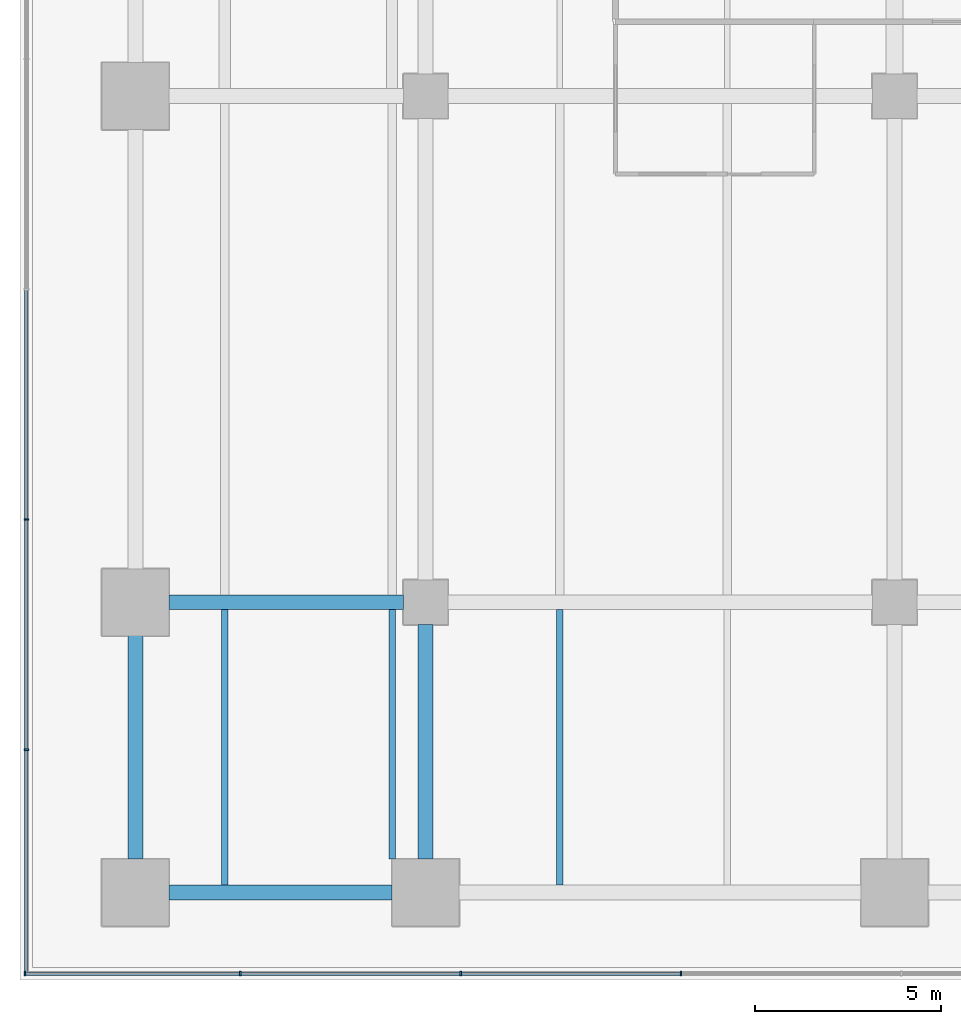
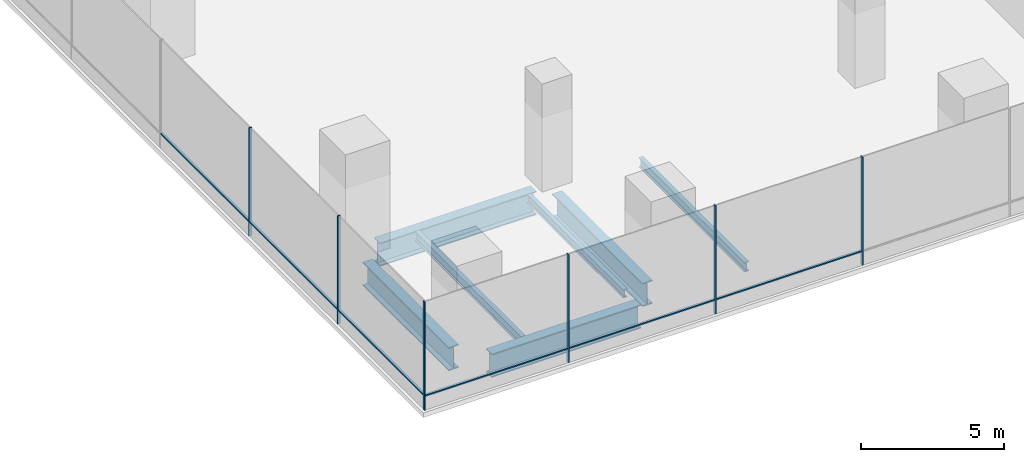
# One storey, part 2 of 28: 12 members, 7 beams, 2 elements without a shape of their own.
"""IFC4 building model written with IfcOpenShell, lengths in metres."""

from ifc_helpers import new_model, si_unit, direction, frame, origin, origin_2d, place, context, subcontext, project, spatial, rectangle, i_section, extrude, material, layer, layer_set, material_profile, profile_set, type_object, element, aggregate, save


model = new_model("IFC4")

# Units and contexts
model_context = context("Model", 3, precision=1e-05, world=origin(), true_north=direction((0.0, 1.0)))
body_context = subcontext(model_context, "Body", "Model", "MODEL_VIEW")
ifc_project = project(units=[si_unit("LENGTHUNIT", "METRE"), si_unit("AREAUNIT", "SQUARE_METRE"), si_unit("VOLUMEUNIT", "CUBIC_METRE"), si_unit("PLANEANGLEUNIT", "RADIAN"), si_unit("MASSUNIT", "GRAM", prefix="KILO")], contexts=[model_context])

# Site, building, storey
site_placement = place(None, origin())
site = spatial("IfcSite", under=ifc_project, at=site_placement, CompositionType="ELEMENT")
building_placement = place(site_placement, origin())
building = spatial("IfcBuilding", under=site, at=building_placement, Name="Rattan Terrace Tower", CompositionType="ELEMENT")
storey_placement = place(building_placement, frame((0.0, 0.0, 22.199951171875)))
storey = spatial("IfcBuildingStorey", under=building, at=storey_placement, Name="L04", CompositionType="ELEMENT", Elevation=22.199951171875)

# Beams
ifc_material_1 = material(Name="Steel S355", Category="steel")
ifc_material_profile_1 = material_profile(ifc_material_1, i_section(OverallWidth=0.169921875, OverallDepth=0.360107421875, WebThickness=0.008056640625, FlangeThickness=0.0126953125, FilletRadius=0.01806640625, at=origin_2d()), Name="IPE 360")
ifc_profile_set_1 = profile_set([ifc_material_profile_1], Name="Steel S355")
beam_type_1 = type_object("IfcBeamType", Name="Frame floor beam IPE 360", PredefinedType="JOIST", material=ifc_profile_set_1)
beam_placement = place(storey_placement, frame((-27.0, -34.0, -0.3798828125), z_axis=(0.0, 1.0, 0.0), x_axis=(-1.0, 0.0, 0.0)))
element("IfcBeam", 1, at=beam_placement, inside=storey, type_object=beam_type_1, Name="bm-L04-013", PredefinedType="JOIST", context=body_context, shape_type="SweptSolid", body=[
    extrude(i_section(OverallWidth=0.169921875, OverallDepth=0.360107421875, WebThickness=0.008056640625, FlangeThickness=0.0126953125, FilletRadius=0.01806640625, at=origin_2d()), origin(), (0.0, 0.0, 1.0), 6.699951171875),
])
ifc_material_2 = material(Name="Steel S355", Category="steel")
ifc_material_profile_2 = material_profile(ifc_material_2, i_section(OverallWidth=0.179931640625, OverallDepth=0.39990234375, WebThickness=0.008544921875, FlangeThickness=0.013427734375, FilletRadius=0.02099609375, at=origin_2d()), Name="IPE 400")
ifc_profile_set_2 = profile_set([ifc_material_profile_2], Name="Steel S355")
beam_type_2 = type_object("IfcBeamType", Name="Frame floor beam IPE 400", PredefinedType="JOIST", material=ifc_profile_set_2)
for number, where, z_axis, x_axis, name in (
    (2, (-31.5, -34.699951171875, -0.39990234375), (0.0, 1.0, 0.0), (-1.0, 0.0, 0.0), "bm-L04-003"),
    (3, (-22.5, -34.699951171875, -0.39990234375), (0.0, 1.0, 0.0), (-1.0, 0.0, 0.0), "bm-L04-004"),
):
    element("IfcBeam", number, at=place(storey_placement, frame(where, z_axis=z_axis, x_axis=x_axis)), inside=storey, type_object=beam_type_2, Name=name, PredefinedType="JOIST", context=body_context, shape_type="SweptSolid", body=[
        extrude(i_section(OverallWidth=0.179931640625, OverallDepth=0.39990234375, WebThickness=0.008544921875, FlangeThickness=0.013427734375, FilletRadius=0.02099609375, at=origin_2d()), origin(), (0.0, 0.0, 1.0), 7.39990234375),
    ])
ifc_material_3 = material(Name="Steel S460", Category="steel")
ifc_material_profile_3 = material_profile(ifc_material_3, i_section(OverallWidth=0.39990234375, OverallDepth=1.0, WebThickness=0.01806640625, FlangeThickness=0.044921875, at=origin_2d()), Name="PG 1000x400-18-45")
ifc_profile_set_3 = profile_set([ifc_material_profile_3], Name="Steel S460")
beam_type_3 = type_object("IfcBeamType", Name="Frame podium girder PG 1000x400-18-45", PredefinedType="USERDEFINED", material=ifc_profile_set_3)
for number, where, z_axis, x_axis, name in (
    (4, (-33.0, -34.89990234375, -0.699951171875), (1.0, 0.0, 0.0), (0.0, 1.0, 0.0), "gdr-L04-001"),
    (5, (-33.89990234375, -34.0, -0.699951171875), (0.0, 1.0, 0.0), (-1.0, 0.0, 0.0), "gdr-L04-007"),
):
    element("IfcBeam", number, at=place(storey_placement, frame(where, z_axis=z_axis, x_axis=x_axis)), inside=storey, type_object=beam_type_3, Name=name, ObjectType="PODIUM GIRDER", PredefinedType="USERDEFINED", context=body_context, shape_type="SweptSolid", body=[
        extrude(i_section(OverallWidth=0.39990234375, OverallDepth=1.0, WebThickness=0.01806640625, FlangeThickness=0.044921875, at=origin_2d()), origin(), (0.0, 0.0, 1.0), 6.0),
    ])
for number, where, z_axis, x_axis, name in (
    (6, (-26.10009765625, -34.0, -0.699951171875), (0.0, 1.0, 0.0), (-1.0, 0.0, 0.0), "gdr-L04-008"),
    (7, (-33.0, -27.10009765625, -0.699951171875), (1.0, 0.0, 0.0), (0.0, 1.0, 0.0), "gdr-L04-014"),
):
    element("IfcBeam", number, at=place(storey_placement, frame(where, z_axis=z_axis, x_axis=x_axis)), inside=storey, type_object=beam_type_3, Name=name, ObjectType="PODIUM GIRDER", PredefinedType="USERDEFINED", context=body_context, shape_type="SweptSolid", body=[
        extrude(i_section(OverallWidth=0.39990234375, OverallDepth=1.0, WebThickness=0.01806640625, FlangeThickness=0.044921875, at=origin_2d()), origin(), (0.0, 0.0, 1.0), 6.300048828125),
    ])

# Curtain wall, members
ifc_material_4 = material(Name="Aluminium and glass", Category="aluminium")
ifc_layer = layer(ifc_material_4, 0.1201171875)
ifc_layer_set = layer_set([ifc_layer], Name="Station Storefront Curtain Wall")
curtain_wall_type = type_object("IfcCurtainWallType", Name="Station Storefront Curtain Wall", PredefinedType="NOTDEFINED", material=ifc_layer_set)
curtain_wall_1_placement = place(storey_placement, origin())
curtain_wall_1 = element("IfcCurtainWall", 8, at=curtain_wall_1_placement, inside=storey, type_object=curtain_wall_type, Name="Storefront curtain wall L04-3", PredefinedType="NOTDEFINED")
ifc_material_5 = material(Name="Aluminium", Category="aluminium")
ifc_material_profile_4 = material_profile(ifc_material_5, rectangle(XDim=0.050048828125, YDim=0.1201171875, at=origin_2d()), Name="Aluminium 50x120")
ifc_profile_set_4 = profile_set([ifc_material_profile_4], Name="Aluminium")
member_type_1 = type_object("IfcMemberType", Name="Storefront CW Mullion 50x120", PredefinedType="MULLION", material=ifc_profile_set_4)
member_1_placement = place(storey_placement, frame((-36.830078125, -24.8779296875, 0.0), z_axis=(0.0, 0.0, 1.0), x_axis=(0.0, -1.0, 0.0)))
member_1 = element("IfcMember", 9, at=member_1_placement, type_object=member_type_1, Name="Mullion cwl-L04-003.7", PredefinedType="MULLION", context=body_context, shape_type="SweptSolid", body=[
    extrude(rectangle(XDim=0.050048828125, YDim=0.1201171875, at=origin_2d()), origin(), (0.0, 0.0, 1.0), 4.60009765625),
])
member_2_placement = place(storey_placement, frame((-36.830078125, -31.06591796875, 0.0), z_axis=(0.0, 0.0, 1.0), x_axis=(0.0, -1.0, 0.0)))
member_2 = element("IfcMember", 10, at=member_2_placement, type_object=member_type_1, Name="Mullion cwl-L04-003.8", PredefinedType="MULLION", context=body_context, shape_type="SweptSolid", body=[
    extrude(rectangle(XDim=0.050048828125, YDim=0.1201171875, at=origin_2d()), origin(), (0.0, 0.0, 1.0), 4.60009765625),
])

curtain_wall_2_placement = place(storey_placement, origin())
curtain_wall_2 = element("IfcCurtainWall", 11, at=curtain_wall_2_placement, inside=storey, type_object=curtain_wall_type, Name="Storefront curtain wall L04-4", PredefinedType="NOTDEFINED")
member_3_placement = place(storey_placement, frame((-36.864990234375, -37.080078125, 0.0), z_axis=(0.0, 0.0, 1.0), x_axis=(1.0, 0.0, 0.0)))
member_3 = element("IfcMember", 12, at=member_3_placement, type_object=member_type_1, Name="Mullion cwl-L04-004.1", PredefinedType="MULLION", context=body_context, shape_type="SweptSolid", body=[
    extrude(rectangle(XDim=0.050048828125, YDim=0.1201171875, at=origin_2d()), origin(), (0.0, 0.0, 1.0), 4.60009765625),
])
member_4_placement = place(storey_placement, frame((-31.080078125, -37.080078125, 0.0), z_axis=(0.0, 0.0, 1.0), x_axis=(1.0, 0.0, 0.0)))
member_4 = element("IfcMember", 13, at=member_4_placement, type_object=member_type_1, Name="Mullion cwl-L04-004.2", PredefinedType="MULLION", context=body_context, shape_type="SweptSolid", body=[
    extrude(rectangle(XDim=0.050048828125, YDim=0.1201171875, at=origin_2d()), origin(), (0.0, 0.0, 1.0), 4.60009765625),
])
member_5_placement = place(storey_placement, frame((-25.159912109375, -37.080078125, 0.0), z_axis=(0.0, 0.0, 1.0), x_axis=(1.0, 0.0, 0.0)))
member_5 = element("IfcMember", 14, at=member_5_placement, type_object=member_type_1, Name="Mullion cwl-L04-004.3", PredefinedType="MULLION", context=body_context, shape_type="SweptSolid", body=[
    extrude(rectangle(XDim=0.050048828125, YDim=0.1201171875, at=origin_2d()), origin(), (0.0, 0.0, 1.0), 4.60009765625),
])
member_6_placement = place(storey_placement, frame((-19.239990234375, -37.080078125, 0.0), z_axis=(0.0, 0.0, 1.0), x_axis=(1.0, 0.0, 0.0)))
member_6 = element("IfcMember", 15, at=member_6_placement, type_object=member_type_1, Name="Mullion cwl-L04-004.4", PredefinedType="MULLION", context=body_context, shape_type="SweptSolid", body=[
    extrude(rectangle(XDim=0.050048828125, YDim=0.1201171875, at=origin_2d()), origin(), (0.0, 0.0, 1.0), 4.60009765625),
])

# Member
ifc_material_6 = material(Name="Aluminium", Category="aluminium")
ifc_material_profile_5 = material_profile(ifc_material_6, rectangle(XDim=0.10009765625, YDim=0.050048828125, at=origin_2d()), Name="Aluminium 100x50")
ifc_profile_set_5 = profile_set([ifc_material_profile_5], Name="Aluminium")
member_type_2 = type_object("IfcMemberType", Name="Storefront CW Transom 100x50", PredefinedType="USERDEFINED", material=ifc_profile_set_5)
member_7_placement = place(storey_placement, frame((-36.830078125, -18.715087890625, 0.60009765625), z_axis=(0.0, -1.0, 0.0), x_axis=(1.0, 0.0, 0.0)))
member_7 = element("IfcMember", 16, at=member_7_placement, type_object=member_type_2, Name="Transom cwl-L04-003.6", ObjectType="TRANSOM", PredefinedType="USERDEFINED", context=body_context, shape_type="SweptSolid", body=[
    extrude(rectangle(XDim=0.10009765625, YDim=0.050048828125, at=origin_2d()), origin(), (0.0, 0.0, 1.0), 6.137939453125),
])

member_8_placement = place(storey_placement, frame((-36.830078125, -24.903076171875, 0.60009765625), z_axis=(0.0, -1.0, 0.0), x_axis=(1.0, 0.0, 0.0)))
member_8 = element("IfcMember", 17, at=member_8_placement, type_object=member_type_2, Name="Transom cwl-L04-003.7", ObjectType="TRANSOM", PredefinedType="USERDEFINED", context=body_context, shape_type="SweptSolid", body=[
    extrude(rectangle(XDim=0.10009765625, YDim=0.050048828125, at=origin_2d()), origin(), (0.0, 0.0, 1.0), 6.137939453125),
])

member_9_placement = place(storey_placement, frame((-36.830078125, -31.091064453125, 0.60009765625), z_axis=(0.0, -1.0, 0.0), x_axis=(1.0, 0.0, 0.0)))
member_9 = element("IfcMember", 18, at=member_9_placement, type_object=member_type_2, Name="Transom cwl-L04-003.8", ObjectType="TRANSOM", PredefinedType="USERDEFINED", context=body_context, shape_type="SweptSolid", body=[
    extrude(rectangle(XDim=0.10009765625, YDim=0.050048828125, at=origin_2d()), origin(), (0.0, 0.0, 1.0), 5.928955078125),
])

aggregate(curtain_wall_1, [member_1, member_2, member_7, member_8, member_9])

member_10_placement = place(storey_placement, frame((-36.840087890625, -37.080078125, 0.60009765625), z_axis=(1.0, 0.0, 0.0), x_axis=(0.0, 1.0, 0.0)))
member_10 = element("IfcMember", 19, at=member_10_placement, type_object=member_type_2, Name="Transom cwl-L04-004.1", ObjectType="TRANSOM", PredefinedType="USERDEFINED", context=body_context, shape_type="SweptSolid", body=[
    extrude(rectangle(XDim=0.10009765625, YDim=0.050048828125, at=origin_2d()), origin(), (0.0, 0.0, 1.0), 5.735107421875),
])

member_11_placement = place(storey_placement, frame((-31.054931640625, -37.080078125, 0.60009765625), z_axis=(1.0, 0.0, 0.0), x_axis=(0.0, 1.0, 0.0)))
member_11 = element("IfcMember", 20, at=member_11_placement, type_object=member_type_2, Name="Transom cwl-L04-004.2", ObjectType="TRANSOM", PredefinedType="USERDEFINED", context=body_context, shape_type="SweptSolid", body=[
    extrude(rectangle(XDim=0.10009765625, YDim=0.050048828125, at=origin_2d()), origin(), (0.0, 0.0, 1.0), 5.869873046875),
])

member_12_placement = place(storey_placement, frame((-25.135009765625, -37.080078125, 0.60009765625), z_axis=(1.0, 0.0, 0.0), x_axis=(0.0, 1.0, 0.0)))
member_12 = element("IfcMember", 21, at=member_12_placement, type_object=member_type_2, Name="Transom cwl-L04-004.3", ObjectType="TRANSOM", PredefinedType="USERDEFINED", context=body_context, shape_type="SweptSolid", body=[
    extrude(rectangle(XDim=0.10009765625, YDim=0.050048828125, at=origin_2d()), origin(), (0.0, 0.0, 1.0), 5.8701171875),
])

aggregate(curtain_wall_2, [member_3, member_4, member_5, member_6, member_10, member_11, member_12])

save(model, "model.ifc")
